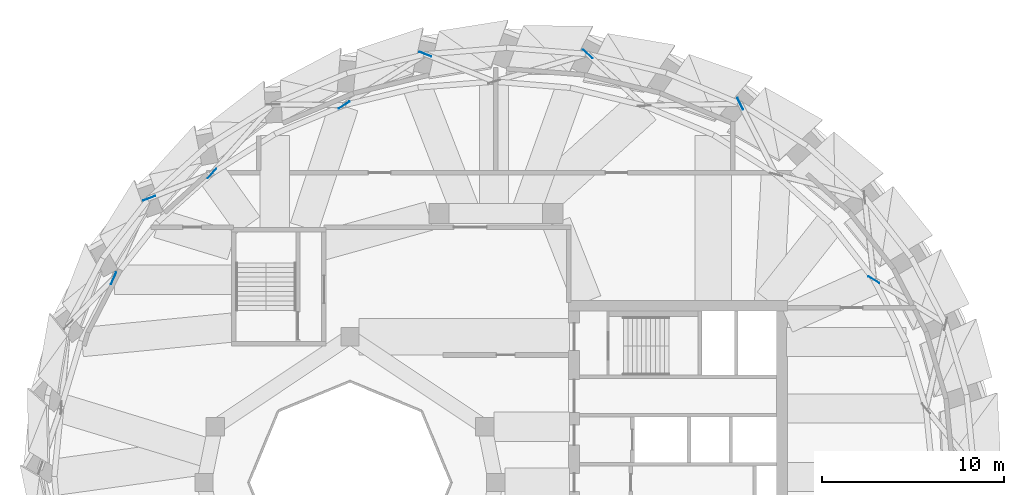
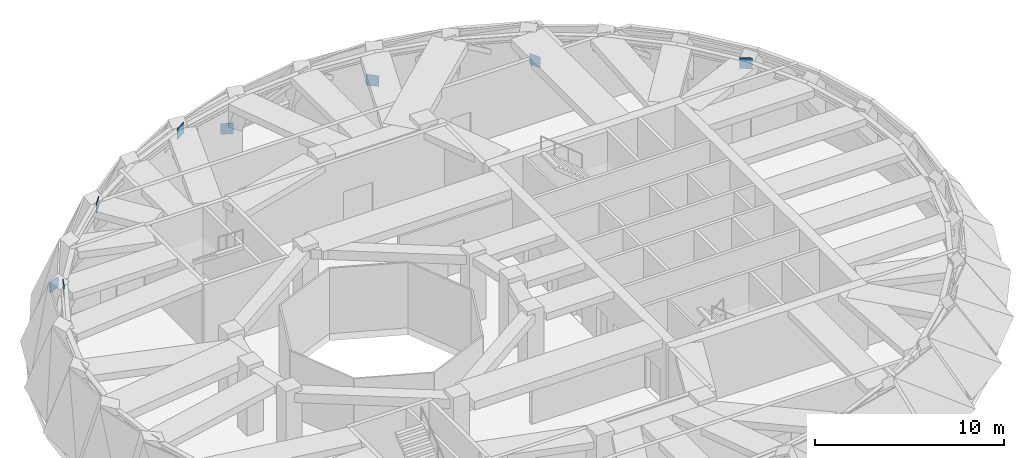
# One storey, part 10 of 14: 8 discrete accessories.
"""IFC4 building model written with IfcOpenShell, lengths in metres."""

from ifc_helpers import new_model, si_unit, direction, frame, origin, origin_2d, place, context, subcontext, project, spatial, rectangle, extrude, material, type_object, element, save


model = new_model("IFC4")

# Units and contexts
model_context = context("Model", 3, precision=1e-05, world=origin(), true_north=direction((0.0, 1.0)))
body_context = subcontext(model_context, "Body", "Model", "MODEL_VIEW")
ifc_project = project(units=[si_unit("LENGTHUNIT", "METRE"), si_unit("AREAUNIT", "SQUARE_METRE"), si_unit("VOLUMEUNIT", "CUBIC_METRE"), si_unit("PLANEANGLEUNIT", "RADIAN"), si_unit("MASSUNIT", "GRAM", prefix="KILO")], contexts=[model_context])

# Site, building, storey
site_placement = place(None, origin())
site = spatial("IfcSite", under=ifc_project, at=site_placement, CompositionType="ELEMENT")
building_placement = place(site_placement, origin())
building = spatial("IfcBuilding", under=site, at=building_placement, Name="Taillehof Tower", CompositionType="ELEMENT")
storey_placement = place(building_placement, frame((0.0, 0.0, 228.800048828125)))
storey = spatial("IfcBuildingStorey", under=building, at=storey_placement, Name="L65", CompositionType="ELEMENT", Elevation=228.800048828125)

# Discrete accessories
ifc_material = material(Name="Steel S460M", Category="steel")
discrete_accessory_type = type_object("IfcDiscreteAccessoryType", Name="Steel gusset plate", PredefinedType="BRACKET", material=ifc_material)
for number, where, z_axis, x_axis, name in (
    (1, (-20.969970703125, 11.199951171875, 3.669921875), (0.0, 0.0, 1.0), (-0.405631400569, -0.914036742627, 0.0), "Gusset plate 279"),
    (2, (-19.010009765625, 15.60009765625, 0.5498046875), (0.0, 0.0, 1.0), (-0.929775843388, -0.36812617545, 0.0), "Gusset plate 280"),
    (3, (-15.570068359375, 16.9599609375, 3.669921875), (0.0, 0.0, 1.0), (-0.663793076436, -0.747916273172, 0.0), "Gusset plate 283"),
    (4, (-8.320068359375, 20.7099609375, 3.669921875), (0.0, 0.0, 1.0), (-0.848104509249, -0.529828973718, 0.0), "Gusset plate 286"),
    (5, (-3.860107421875, 23.5, 0.5498046875), (0.0, 0.0, 1.0), (-0.929313797468, 0.369291031351, 0.0), "Gusset plate 289"),
    (6, (5.0400390625, 23.510009765625, 0.5498046875), (0.0, 0.0, 1.0), (-0.738284669426, 0.674489248906, 0.0), "Gusset plate 293"),
    (7, (13.409912109375, 20.780029296875, 0.5498046875), (0.0, 0.0, 1.0), (-0.452353770472, 0.891838587604, 0.0), "Gusset plate 297"),
    (8, (20.739990234375, 11.1298828125, 3.669921875), (0.0, 0.0, 1.0), (-0.851549466905, 0.524274265451, 0.0), "Gusset plate 302"),
):
    element("IfcDiscreteAccessory", number, at=place(storey_placement, frame(where, z_axis=z_axis, x_axis=x_axis)), inside=storey, type_object=discrete_accessory_type, Name=name, PredefinedType="BRACKET", context=body_context, shape_type="SweptSolid", body=[
        extrude(rectangle(XDim=0.699951171875, YDim=0.02490234375, at=origin_2d()), origin(), (0.0, 0.0, 1.0), 0.699951171875),
    ])

save(model, "model.ifc")
